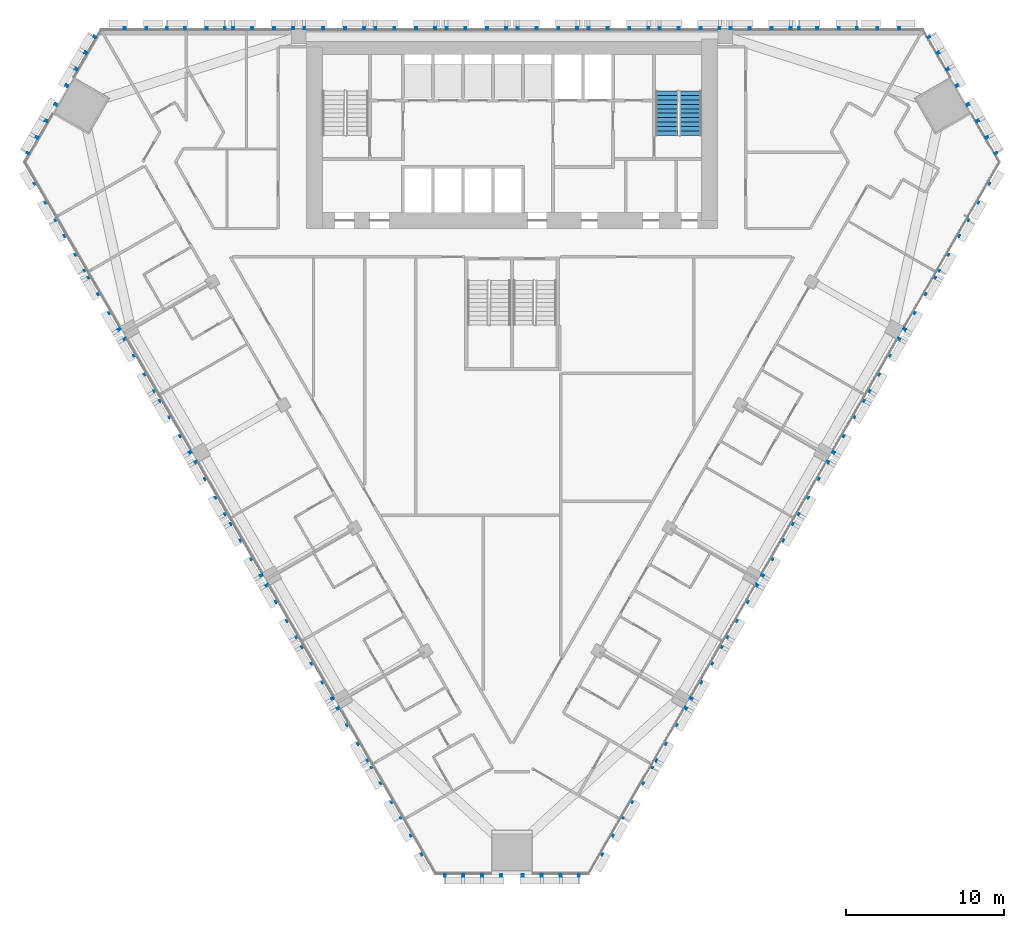
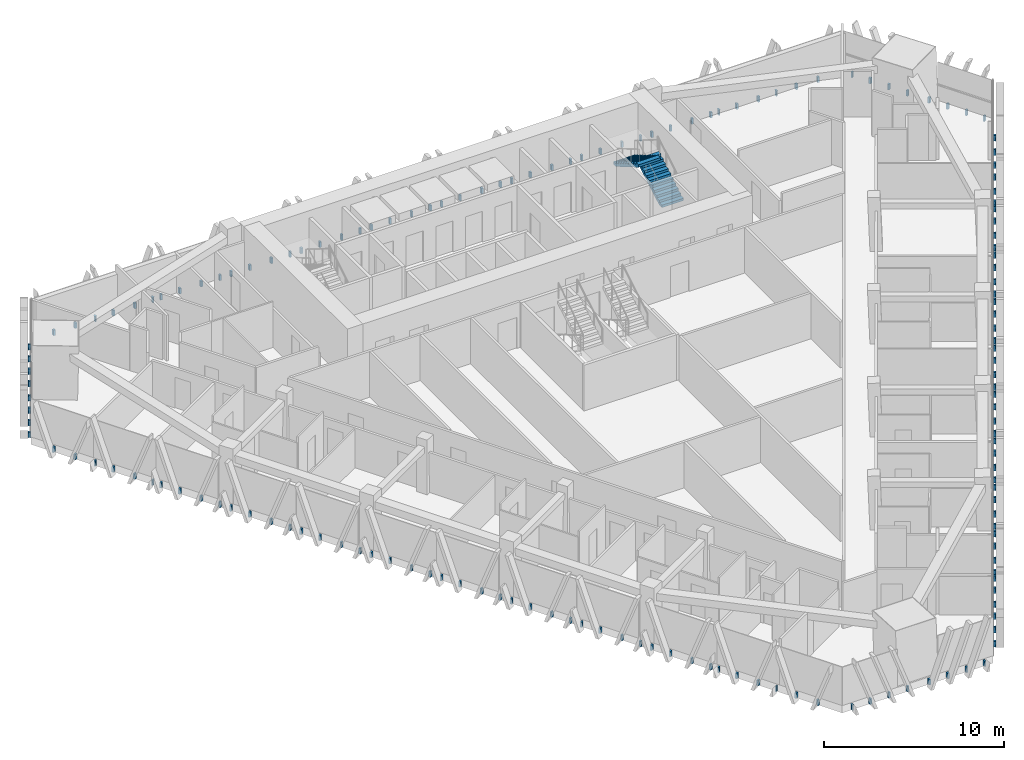
# One storey, part 15 of 18: 6 discrete accessories, 2 stair flights, 1 element without a shape of its own.
"""IFC4 building model written with IfcOpenShell, lengths in metres."""

from ifc_helpers import new_model, si_unit, direction, frame, origin, place, context, subcontext, project, spatial, polyline, outline, extrude, source, transform, mapped, material, type_object, element, aggregate, save


model = new_model("IFC4")

# Units and contexts
model_context = context("Model", 3, precision=1e-05, world=origin(), true_north=direction((0.0, 1.0)))
body_context = subcontext(model_context, "Body", "Model", "MODEL_VIEW")
ifc_project = project(units=[si_unit("LENGTHUNIT", "METRE"), si_unit("AREAUNIT", "SQUARE_METRE"), si_unit("VOLUMEUNIT", "CUBIC_METRE"), si_unit("PLANEANGLEUNIT", "RADIAN"), si_unit("MASSUNIT", "GRAM", prefix="KILO")], contexts=[model_context])

# Site, building, storey
site_placement = place(None, origin())
site = spatial("IfcSite", under=ifc_project, at=site_placement, CompositionType="ELEMENT")
building_placement = place(site_placement, origin())
building = spatial("IfcBuilding", under=site, at=building_placement, Name="Altiplano Prism Tower", CompositionType="ELEMENT")
storey_placement = place(building_placement, frame((0.0, 0.0, 41.39990234375)))
storey = spatial("IfcBuildingStorey", under=building, at=storey_placement, Name="L09", CompositionType="ELEMENT", Elevation=41.39990234375)

# Stair, stair flights
ifc_material_1 = material(Name="Concrete C40/50", Category="concrete")
stair_type = type_object("IfcStairType", Name="Exit stair 1400", PredefinedType="HALF_TURN_STAIR", material=ifc_material_1)
stair_placement = place(storey_placement, origin())
stair = element("IfcStair", 1, at=stair_placement, inside=storey, type_object=stair_type, Name="L09 Exit Stair 2", PredefinedType="HALF_TURN_STAIR")
stair_flight_type = type_object("IfcStairFlightType", Name="Stair flight concrete 150", PredefinedType="STRAIGHT", material=ifc_material_1)
stair_flight_1_placement = place(storey_placement, frame((96.300048828125, 98.300048828125, 0.0), z_axis=(0.0, 0.0, 1.0), x_axis=(0.0, 1.0, 0.0)))
stair_flight_1 = element("IfcStairFlight", 2, at=stair_flight_1_placement, type_object=stair_flight_type, Name="ST2 flight 1", NumberOfRisers=11, NumberOfTreads=10, PredefinedType="STRAIGHT", RiserHeight=0.163636364, TreadLength=0.28, context=body_context, shape_type="SweptSolid", body=[
    extrude(outline(polyline([(0.0, 0.0), (0.0, 0.16357421875), (0.280029296875, 0.16357421875), (0.280029296875, 0.327392578125), (0.56005859375, 0.327392578125), (0.56005859375, 0.490966796875), (0.840087890625, 0.490966796875), (0.840087890625, 0.654541015625), (1.1201171875, 0.654541015625), (1.1201171875, 0.818115234375), (1.39990234375, 0.818115234375), (1.39990234375, 0.98193359375), (1.679931640625, 0.98193359375), (1.679931640625, 1.1455078125), (1.9599609375, 1.1455078125), (1.9599609375, 1.30908203125), (2.239990234375, 1.30908203125), (2.239990234375, 1.47265625), (2.52001953125, 1.47265625), (2.52001953125, 1.636474609375), (2.800048828125, 1.636474609375), (2.800048828125, 1.800048828125), (2.800048828125, 1.462646484375), (0.297119140625, 0.0), (0.0, 0.0)])), frame((0.0, 0.699951171875, 0.0), z_axis=(0.0, -1.0, 0.0), x_axis=(1.0, 0.0, 0.0)), (0.0, 0.0, 1.0), 1.39990234375),
])
stair_flight_2_placement = place(storey_placement, frame((94.800048828125, 101.10009765625, 1.800048828125), z_axis=(0.0, 0.0, 1.0), x_axis=(0.0, -1.0, 0.0)))
stair_flight_2 = element("IfcStairFlight", 3, at=stair_flight_2_placement, type_object=stair_flight_type, Name="ST2 flight 2", NumberOfRisers=11, NumberOfTreads=10, PredefinedType="STRAIGHT", RiserHeight=0.163636364, TreadLength=0.28, context=body_context, shape_type="SweptSolid", body=[
    extrude(outline(polyline([(0.0, 0.0), (0.0, 0.16357421875), (0.280029296875, 0.16357421875), (0.280029296875, 0.327392578125), (0.56005859375, 0.327392578125), (0.56005859375, 0.490966796875), (0.840087890625, 0.490966796875), (0.840087890625, 0.654541015625), (1.1201171875, 0.654541015625), (1.1201171875, 0.818115234375), (1.39990234375, 0.818115234375), (1.39990234375, 0.98193359375), (1.679931640625, 0.98193359375), (1.679931640625, 1.1455078125), (1.9599609375, 1.1455078125), (1.9599609375, 1.30908203125), (2.239990234375, 1.30908203125), (2.239990234375, 1.47265625), (2.52001953125, 1.47265625), (2.52001953125, 1.636474609375), (2.800048828125, 1.636474609375), (2.800048828125, 1.800048828125), (2.800048828125, 1.462646484375), (0.297119140625, 0.0), (0.0, 0.0)])), frame((0.0, 0.699951171875, 0.0), z_axis=(0.0, -1.0, 0.0), x_axis=(1.0, 0.0, 0.0)), (0.0, 0.0, 1.0), 1.39990234375),
])
aggregate(stair, [stair_flight_1, stair_flight_2])

# Discrete accessories
ifc_material_2 = material(Name="Stainless steel", Category="steel")
discrete_accessory_type = type_object("IfcDiscreteAccessoryType", Name="Stone fin fixing prongs", PredefinedType="USERDEFINED", material=ifc_material_2)
shared_shape_1 = source(origin(), body_context, "Body", "SweptSolid", [
    extrude(outline(polyline([(-0.7509765625, 0.06005859375), (-0.631103515625, 0.06005859375), (-0.631103515625, 0.43994140625), (-0.7509765625, 0.43994140625), (-0.7509765625, 0.06005859375)])), frame((0.0, 0.0, 0.0), z_axis=(0.0, -1.0, 0.0), x_axis=(1.0, 0.0, 0.0)), (0.0, 0.0, 1.0), 0.14990234375),
    extrude(outline(polyline([(0.631103515625, 0.06005859375), (0.7509765625, 0.06005859375), (0.7509765625, 0.43994140625), (0.631103515625, 0.43994140625), (0.631103515625, 0.06005859375)])), frame((0.0, 0.0, 0.0), z_axis=(0.0, -1.0, 0.0), x_axis=(1.0, 0.0, 0.0)), (0.0, 0.0, 1.0), 0.14990234375),
])
shared_shape_2 = source(origin(), body_context, "Body", "SweptSolid", [
    extrude(outline(polyline([(-0.7509765625, 0.06005859375), (-0.631103515625, 0.06005859375), (-0.631103515625, 0.43994140625), (-0.7509765625, 0.43994140625), (-0.7509765625, 0.06005859375)])), frame((0.0, 0.0, 0.0), z_axis=(0.0, -1.0, 0.0), x_axis=(1.0, 0.0, 0.0)), (0.0, 0.0, 1.0), 0.14990234375),
    extrude(outline(polyline([(-1.889892578125, 0.06005859375), (-1.801025390625, 0.06005859375), (-1.801025390625, 0.43994140625), (-1.889892578125, 0.43994140625), (-1.889892578125, 0.06005859375)])), frame((0.0, 0.0, 0.0), z_axis=(0.0, -1.0, 0.0), x_axis=(1.0, 0.0, 0.0)), (0.0, 0.0, 1.0), 0.14990234375),
    extrude(outline(polyline([(0.631103515625, 0.06005859375), (0.7509765625, 0.06005859375), (0.7509765625, 0.43994140625), (0.631103515625, 0.43994140625), (0.631103515625, 0.06005859375)])), frame((0.0, 0.0, 0.0), z_axis=(0.0, -1.0, 0.0), x_axis=(1.0, 0.0, 0.0)), (0.0, 0.0, 1.0), 0.14990234375),
    extrude(outline(polyline([(1.801025390625, 0.06005859375), (1.889892578125, 0.06005859375), (1.889892578125, 0.43994140625), (1.801025390625, 0.43994140625), (1.801025390625, 0.06005859375)])), frame((0.0, 0.0, 0.0), z_axis=(0.0, -1.0, 0.0), x_axis=(1.0, 0.0, 0.0)), (0.0, 0.0, 1.0), 0.14990234375),
])
shared_shape_3 = source(origin(), body_context, "Body", "SweptSolid", [
    extrude(outline(polyline([(-1.950927734375, 0.06005859375), (-1.8310546875, 0.06005859375), (-1.8310546875, 0.43994140625), (-1.950927734375, 0.43994140625), (-1.950927734375, 0.06005859375)])), frame((0.0, 0.0, 0.0), z_axis=(0.0, -1.0, 0.0), x_axis=(1.0, 0.0, 0.0)), (0.0, 0.0, 1.0), 0.14990234375),
    extrude(outline(polyline([(-0.7509765625, 0.06005859375), (-0.631103515625, 0.06005859375), (-0.631103515625, 0.43994140625), (-0.7509765625, 0.43994140625), (-0.7509765625, 0.06005859375)])), frame((0.0, 0.0, 0.0), z_axis=(0.0, -1.0, 0.0), x_axis=(1.0, 0.0, 0.0)), (0.0, 0.0, 1.0), 0.14990234375),
    extrude(outline(polyline([(0.631103515625, 0.06005859375), (0.7509765625, 0.06005859375), (0.7509765625, 0.43994140625), (0.631103515625, 0.43994140625), (0.631103515625, 0.06005859375)])), frame((0.0, 0.0, 0.0), z_axis=(0.0, -1.0, 0.0), x_axis=(1.0, 0.0, 0.0)), (0.0, 0.0, 1.0), 0.14990234375),
    extrude(outline(polyline([(1.8310546875, 0.06005859375), (1.950927734375, 0.06005859375), (1.950927734375, 0.43994140625), (1.8310546875, 0.43994140625), (1.8310546875, 0.06005859375)])), frame((0.0, 0.0, 0.0), z_axis=(0.0, -1.0, 0.0), x_axis=(1.0, 0.0, 0.0)), (0.0, 0.0, 1.0), 0.14990234375),
])
discrete_accessory_1_placement = place(storey_placement, origin())
element("IfcDiscreteAccessory", 4, at=discrete_accessory_1_placement, inside=storey, type_object=discrete_accessory_type, Name="Fin fixings L09 north face", ObjectType="BRACKET", PredefinedType="USERDEFINED", context=body_context, shape_type="MappedRepresentation", body=[
    mapped(shared_shape_1, transform((108.830810546875, 105.0, -0.5), x_axis=(-1.0, 0.0, 0.0), y_axis=(0.0, -1.0, 0.0), z_axis=(0.0, 0.0, 1.0))),
    mapped(shared_shape_2, transform((105.01025390625, 105.0, -0.5), x_axis=(-1.0, 0.0, 0.0), y_axis=(0.0, -1.0, 0.0), z_axis=(0.0, 0.0, 1.0))),
    mapped(shared_shape_3, transform((100.75, 105.0, -0.5), x_axis=(-1.0, 0.0, 0.0), y_axis=(0.0, -1.0, 0.0), z_axis=(0.0, 0.0, 1.0))),
    mapped(shared_shape_3, transform((96.25, 105.0, -0.5), x_axis=(-1.0, 0.0, 0.0), y_axis=(0.0, -1.0, 0.0), z_axis=(0.0, 0.0, 1.0))),
    mapped(shared_shape_3, transform((91.75, 105.0, -0.5), x_axis=(-1.0, 0.0, 0.0), y_axis=(0.0, -1.0, 0.0), z_axis=(0.0, 0.0, 1.0))),
    mapped(shared_shape_3, transform((87.25, 105.0, -0.5), x_axis=(-1.0, 0.0, 0.0), y_axis=(0.0, -1.0, 0.0), z_axis=(0.0, 0.0, 1.0))),
    mapped(shared_shape_3, transform((82.75, 105.0, -0.5), x_axis=(-1.0, 0.0, 0.0), y_axis=(0.0, -1.0, 0.0), z_axis=(0.0, 0.0, 1.0))),
    mapped(shared_shape_3, transform((78.25, 105.0, -0.5), x_axis=(-1.0, 0.0, 0.0), y_axis=(0.0, -1.0, 0.0), z_axis=(0.0, 0.0, 1.0))),
    mapped(shared_shape_3, transform((73.75, 105.0, -0.5), x_axis=(-1.0, 0.0, 0.0), y_axis=(0.0, -1.0, 0.0), z_axis=(0.0, 0.0, 1.0))),
    mapped(shared_shape_3, transform((69.25, 105.0, -0.5), x_axis=(-1.0, 0.0, 0.0), y_axis=(0.0, -1.0, 0.0), z_axis=(0.0, 0.0, 1.0))),
    mapped(shared_shape_2, transform((64.98974609375, 105.0, -0.5), x_axis=(-1.0, 0.0, 0.0), y_axis=(0.0, -1.0, 0.0), z_axis=(0.0, 0.0, 1.0))),
    mapped(shared_shape_1, transform((61.169189453125, 105.0, -0.5), x_axis=(-1.0, 0.0, 0.0), y_axis=(0.0, -1.0, 0.0), z_axis=(0.0, 0.0, 1.0))),
])
discrete_accessory_2_placement = place(storey_placement, origin())
element("IfcDiscreteAccessory", 5, at=discrete_accessory_2_placement, inside=storey, type_object=discrete_accessory_type, Name="Fin fixings L09 south-west face", ObjectType="BRACKET", PredefinedType="USERDEFINED", context=body_context, shape_type="MappedRepresentation", body=[
    mapped(shared_shape_1, transform((55.218017578125, 94.692138671875, -0.5), x_axis=(0.499999999907, -0.866025403838, 0.0), y_axis=(0.866025403838, 0.499999999907, 0.0), z_axis=(0.0, 0.0, 1.0))),
    mapped(shared_shape_2, transform((57.12841796875, 91.383544921875, -0.5), x_axis=(0.499999999907, -0.866025403838, 0.0), y_axis=(0.866025403838, 0.499999999907, 0.0), z_axis=(0.0, 0.0, 1.0))),
    mapped(shared_shape_3, transform((59.258544921875, 87.694091796875, -0.5), x_axis=(0.499999999907, -0.866025403838, 0.0), y_axis=(0.866025403838, 0.499999999907, 0.0), z_axis=(0.0, 0.0, 1.0))),
    mapped(shared_shape_3, transform((61.508544921875, 83.796875, -0.5), x_axis=(0.499999999907, -0.866025403838, 0.0), y_axis=(0.866025403838, 0.499999999907, 0.0), z_axis=(0.0, 0.0, 1.0))),
    mapped(shared_shape_3, transform((63.758544921875, 79.89990234375, -0.5), x_axis=(0.499999999907, -0.866025403838, 0.0), y_axis=(0.866025403838, 0.499999999907, 0.0), z_axis=(0.0, 0.0, 1.0))),
    mapped(shared_shape_3, transform((66.008544921875, 76.002685546875, -0.5), x_axis=(0.499999999907, -0.866025403838, 0.0), y_axis=(0.866025403838, 0.499999999907, 0.0), z_axis=(0.0, 0.0, 1.0))),
    mapped(shared_shape_3, transform((68.258544921875, 72.105712890625, -0.5), x_axis=(0.499999999907, -0.866025403838, 0.0), y_axis=(0.866025403838, 0.499999999907, 0.0), z_axis=(0.0, 0.0, 1.0))),
    mapped(shared_shape_3, transform((70.508544921875, 68.20849609375, -0.5), x_axis=(0.499999999907, -0.866025403838, 0.0), y_axis=(0.866025403838, 0.499999999907, 0.0), z_axis=(0.0, 0.0, 1.0))),
    mapped(shared_shape_3, transform((72.758544921875, 64.311279296875, -0.5), x_axis=(0.499999999907, -0.866025403838, 0.0), y_axis=(0.866025403838, 0.499999999907, 0.0), z_axis=(0.0, 0.0, 1.0))),
    mapped(shared_shape_3, transform((75.008544921875, 60.414306640625, -0.5), x_axis=(0.499999999907, -0.866025403838, 0.0), y_axis=(0.866025403838, 0.499999999907, 0.0), z_axis=(0.0, 0.0, 1.0))),
    mapped(shared_shape_2, transform((77.138671875, 56.724853515625, -0.5), x_axis=(0.499999999907, -0.866025403838, 0.0), y_axis=(0.866025403838, 0.499999999907, 0.0), z_axis=(0.0, 0.0, 1.0))),
    mapped(shared_shape_1, transform((79.048828125, 53.416015625, -0.5), x_axis=(0.499999999907, -0.866025403838, 0.0), y_axis=(0.866025403838, 0.499999999907, 0.0), z_axis=(0.0, 0.0, 1.0))),
])
discrete_accessory_3_placement = place(storey_placement, origin())
element("IfcDiscreteAccessory", 6, at=discrete_accessory_3_placement, inside=storey, type_object=discrete_accessory_type, Name="Fin fixings L09 south-east face", ObjectType="BRACKET", PredefinedType="USERDEFINED", context=body_context, shape_type="MappedRepresentation", body=[
    mapped(shared_shape_1, transform((90.951171875, 53.416015625, -0.5), x_axis=(0.499999999907, 0.866025403838, 0.0), y_axis=(-0.866025403838, 0.499999999907, 0.0), z_axis=(0.0, 0.0, 1.0))),
    mapped(shared_shape_2, transform((92.861328125, 56.724853515625, -0.5), x_axis=(0.499999999907, 0.866025403838, 0.0), y_axis=(-0.866025403838, 0.499999999907, 0.0), z_axis=(0.0, 0.0, 1.0))),
    mapped(shared_shape_3, transform((94.991455078125, 60.414306640625, -0.5), x_axis=(0.499999999907, 0.866025403838, 0.0), y_axis=(-0.866025403838, 0.499999999907, 0.0), z_axis=(0.0, 0.0, 1.0))),
    mapped(shared_shape_3, transform((97.241455078125, 64.311279296875, -0.5), x_axis=(0.499999999907, 0.866025403838, 0.0), y_axis=(-0.866025403838, 0.499999999907, 0.0), z_axis=(0.0, 0.0, 1.0))),
    mapped(shared_shape_3, transform((99.491455078125, 68.20849609375, -0.5), x_axis=(0.499999999907, 0.866025403838, 0.0), y_axis=(-0.866025403838, 0.499999999907, 0.0), z_axis=(0.0, 0.0, 1.0))),
    mapped(shared_shape_3, transform((101.741455078125, 72.105712890625, -0.5), x_axis=(0.499999999907, 0.866025403838, 0.0), y_axis=(-0.866025403838, 0.499999999907, 0.0), z_axis=(0.0, 0.0, 1.0))),
    mapped(shared_shape_3, transform((103.991455078125, 76.002685546875, -0.5), x_axis=(0.499999999907, 0.866025403838, 0.0), y_axis=(-0.866025403838, 0.499999999907, 0.0), z_axis=(0.0, 0.0, 1.0))),
    mapped(shared_shape_3, transform((106.241455078125, 79.89990234375, -0.5), x_axis=(0.499999999907, 0.866025403838, 0.0), y_axis=(-0.866025403838, 0.499999999907, 0.0), z_axis=(0.0, 0.0, 1.0))),
    mapped(shared_shape_3, transform((108.491455078125, 83.796875, -0.5), x_axis=(0.499999999907, 0.866025403838, 0.0), y_axis=(-0.866025403838, 0.499999999907, 0.0), z_axis=(0.0, 0.0, 1.0))),
    mapped(shared_shape_3, transform((110.741455078125, 87.694091796875, -0.5), x_axis=(0.499999999907, 0.866025403838, 0.0), y_axis=(-0.866025403838, 0.499999999907, 0.0), z_axis=(0.0, 0.0, 1.0))),
    mapped(shared_shape_2, transform((112.87158203125, 91.383544921875, -0.5), x_axis=(0.499999999907, 0.866025403838, 0.0), y_axis=(-0.866025403838, 0.499999999907, 0.0), z_axis=(0.0, 0.0, 1.0))),
    mapped(shared_shape_1, transform((114.781982421875, 94.692138671875, -0.5), x_axis=(0.499999999907, 0.866025403838, 0.0), y_axis=(-0.866025403838, 0.499999999907, 0.0), z_axis=(0.0, 0.0, 1.0))),
])
shared_shape_4 = source(origin(), body_context, "Body", "SweptSolid", [
    extrude(outline(polyline([(-3.15087890625, 0.06005859375), (-3.031005859375, 0.06005859375), (-3.031005859375, 0.43994140625), (-3.15087890625, 0.43994140625), (-3.15087890625, 0.06005859375)])), frame((0.0, 0.0, 0.0), z_axis=(0.0, -1.0, 0.0), x_axis=(1.0, 0.0, 0.0)), (0.0, 0.0, 1.0), 0.14990234375),
    extrude(outline(polyline([(-4.2900390625, 0.06005859375), (-4.200927734375, 0.06005859375), (-4.200927734375, 0.43994140625), (-4.2900390625, 0.43994140625), (-4.2900390625, 0.06005859375)])), frame((0.0, 0.0, 0.0), z_axis=(0.0, -1.0, 0.0), x_axis=(1.0, 0.0, 0.0)), (0.0, 0.0, 1.0), 0.14990234375),
    extrude(outline(polyline([(-1.950927734375, 0.06005859375), (-1.8310546875, 0.06005859375), (-1.8310546875, 0.43994140625), (-1.950927734375, 0.43994140625), (-1.950927734375, 0.06005859375)])), frame((0.0, 0.0, 0.0), z_axis=(0.0, -1.0, 0.0), x_axis=(1.0, 0.0, 0.0)), (0.0, 0.0, 1.0), 0.14990234375),
    extrude(outline(polyline([(-0.7509765625, 0.06005859375), (-0.631103515625, 0.06005859375), (-0.631103515625, 0.43994140625), (-0.7509765625, 0.43994140625), (-0.7509765625, 0.06005859375)])), frame((0.0, 0.0, 0.0), z_axis=(0.0, -1.0, 0.0), x_axis=(1.0, 0.0, 0.0)), (0.0, 0.0, 1.0), 0.14990234375),
    extrude(outline(polyline([(0.631103515625, 0.06005859375), (0.7509765625, 0.06005859375), (0.7509765625, 0.43994140625), (0.631103515625, 0.43994140625), (0.631103515625, 0.06005859375)])), frame((0.0, 0.0, 0.0), z_axis=(0.0, -1.0, 0.0), x_axis=(1.0, 0.0, 0.0)), (0.0, 0.0, 1.0), 0.14990234375),
    extrude(outline(polyline([(1.8310546875, 0.06005859375), (1.950927734375, 0.06005859375), (1.950927734375, 0.43994140625), (1.8310546875, 0.43994140625), (1.8310546875, 0.06005859375)])), frame((0.0, 0.0, 0.0), z_axis=(0.0, -1.0, 0.0), x_axis=(1.0, 0.0, 0.0)), (0.0, 0.0, 1.0), 0.14990234375),
    extrude(outline(polyline([(3.031005859375, 0.06005859375), (3.15087890625, 0.06005859375), (3.15087890625, 0.43994140625), (3.031005859375, 0.43994140625), (3.031005859375, 0.06005859375)])), frame((0.0, 0.0, 0.0), z_axis=(0.0, -1.0, 0.0), x_axis=(1.0, 0.0, 0.0)), (0.0, 0.0, 1.0), 0.14990234375),
    extrude(outline(polyline([(4.200927734375, 0.06005859375), (4.2900390625, 0.06005859375), (4.2900390625, 0.43994140625), (4.200927734375, 0.43994140625), (4.200927734375, 0.06005859375)])), frame((0.0, 0.0, 0.0), z_axis=(0.0, -1.0, 0.0), x_axis=(1.0, 0.0, 0.0)), (0.0, 0.0, 1.0), 0.14990234375),
])
discrete_accessory_4_placement = place(storey_placement, origin())
element("IfcDiscreteAccessory", 7, at=discrete_accessory_4_placement, inside=storey, type_object=discrete_accessory_type, Name="Fin fixings L09 north-west chamfer", ObjectType="BRACKET", PredefinedType="USERDEFINED", context=body_context, shape_type="MappedRepresentation", body=[
    mapped(shared_shape_4, transform((56.535888671875, 100.80322265625, -0.5), x_axis=(-0.500000006139, -0.86602540024, 0.0), y_axis=(0.86602540024, -0.500000006139, 0.0), z_axis=(0.0, 0.0, 1.0))),
])
discrete_accessory_5_placement = place(storey_placement, origin())
element("IfcDiscreteAccessory", 8, at=discrete_accessory_5_placement, inside=storey, type_object=discrete_accessory_type, Name="Fin fixings L09 south chamfer", ObjectType="BRACKET", PredefinedType="USERDEFINED", context=body_context, shape_type="MappedRepresentation", body=[
    mapped(shared_shape_4, transform((85.0, 51.501953125, -0.5), x_axis=(1.0, 0.0, 0.0), y_axis=(0.0, 1.0, 0.0), z_axis=(0.0, 0.0, 1.0))),
])
discrete_accessory_6_placement = place(storey_placement, origin())
element("IfcDiscreteAccessory", 9, at=discrete_accessory_6_placement, inside=storey, type_object=discrete_accessory_type, Name="Fin fixings L09 north-east chamfer", ObjectType="BRACKET", PredefinedType="USERDEFINED", context=body_context, shape_type="MappedRepresentation", body=[
    mapped(shared_shape_4, transform((113.464111328125, 100.80322265625, -0.5), x_axis=(-0.500000006139, 0.86602540024, 0.0), y_axis=(-0.86602540024, -0.500000006139, 0.0), z_axis=(0.0, 0.0, 1.0))),
])

save(model, "model.ifc")
